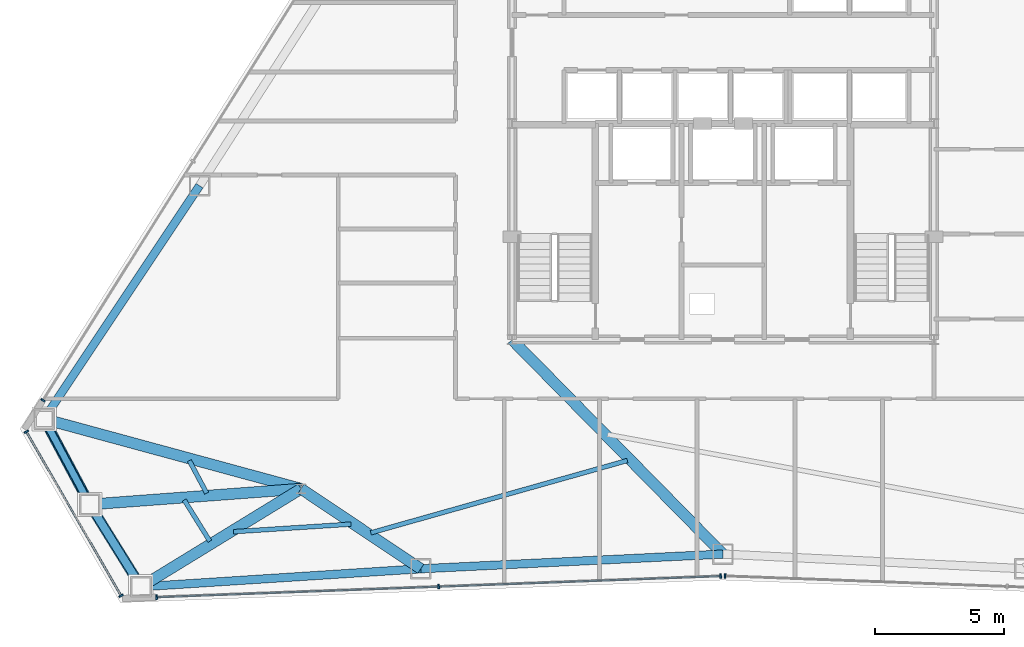
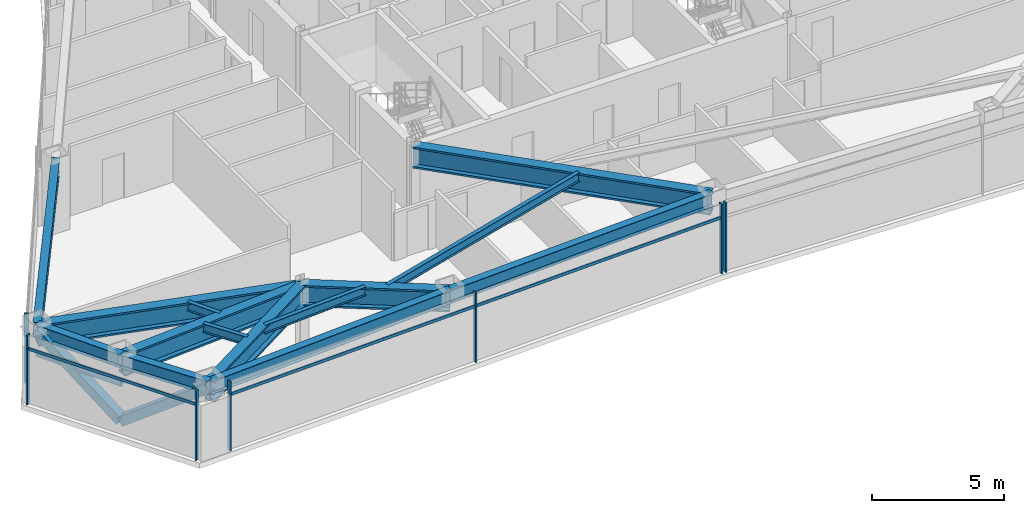
# One storey, part 3 of 13: 14 beams, 12 members, 4 elements without a shape of their own.
"""IFC4 building model written with IfcOpenShell, lengths in metres."""

from ifc_helpers import new_model, si_unit, direction, frame, origin, origin_2d, place, context, subcontext, project, spatial, rectangle, hollow_rectangle, hollow_circle, i_section, extrude, source, transform, mapped, material, layer, layer_set, material_profile, profile_set, type_object, type_shapes, element, aggregate, save


model = new_model("IFC4")

# Units and contexts
model_context = context("Model", 3, precision=1e-05, world=origin(), true_north=direction((0.0, 1.0)))
body_context = subcontext(model_context, "Body", "Model", "MODEL_VIEW")
ifc_project = project(units=[si_unit("LENGTHUNIT", "METRE"), si_unit("AREAUNIT", "SQUARE_METRE"), si_unit("VOLUMEUNIT", "CUBIC_METRE"), si_unit("PLANEANGLEUNIT", "RADIAN"), si_unit("MASSUNIT", "GRAM", prefix="KILO")], contexts=[model_context])

# Site, building, storey
site_placement = place(None, origin())
site = spatial("IfcSite", under=ifc_project, at=site_placement, CompositionType="ELEMENT")
building_placement = place(site_placement, origin())
building = spatial("IfcBuilding", under=site, at=building_placement, Name="Varakhsha Concourse Tower", CompositionType="ELEMENT")
storey_placement = place(building_placement, frame((0.0, 0.0, 179.25)))
storey = spatial("IfcBuildingStorey", under=building, at=storey_placement, Name="L51", CompositionType="ELEMENT", Elevation=179.25)

# Beams
ifc_material_1 = material(Name="Structural Steel ASTM A992 Grade 50", Category="steel")
ifc_material_profile_1 = material_profile(ifc_material_1, i_section(OverallWidth=0.177978515625, OverallDepth=0.406982421875, WebThickness=0.008056640625, FlangeThickness=0.012939453125, at=origin_2d()), Name="W16X40")
ifc_profile_set_1 = profile_set([ifc_material_profile_1], Name="Structural Steel ASTM A992 Grade 50")
beam_type_1 = type_object("IfcBeamType", Name="BM-JST-W16X40", PredefinedType="JOIST", material=ifc_profile_set_1)
beam_1_placement = place(storey_placement, frame((19.25732421875, 11.697265625, 3.006591796875), z_axis=(0.471425078209, -0.881906114978, 0.0), x_axis=(0.881906114978, 0.471425078209, 0.0)))
element("IfcBeam", 1, at=beam_1_placement, inside=storey, type_object=beam_type_1, Name="BM-TJST-L51-07", PredefinedType="JOIST", context=body_context, shape_type="SweptSolid", body=[
    extrude(i_section(OverallWidth=0.177978515625, OverallDepth=0.406982421875, WebThickness=0.008056640625, FlangeThickness=0.012939453125, at=origin_2d()), origin(), (0.0, 0.0, 1.0), 1.438232421875),
])
beam_2_placement = place(storey_placement, frame((19.059814453125, 10.165283203125, 3.006591796875), z_axis=(0.528105315956, -0.849178882957, 0.0), x_axis=(0.849178882957, 0.528105315956, 0.0)))
element("IfcBeam", 2, at=beam_2_placement, inside=storey, type_object=beam_type_1, Name="BM-TJST-L51-08", PredefinedType="JOIST", context=body_context, shape_type="SweptSolid", body=[
    extrude(i_section(OverallWidth=0.177978515625, OverallDepth=0.406982421875, WebThickness=0.008056640625, FlangeThickness=0.012939453125, at=origin_2d()), origin(), (0.0, 0.0, 1.0), 1.890380859375),
])
beam_3_placement = place(storey_placement, frame((20.972412109375, 8.930908203125, 3.006591796875), z_axis=(0.997934587168, 0.064238304264, 0.0), x_axis=(-0.064238304264, 0.997934587168, 0.0)))
element("IfcBeam", 3, at=beam_3_placement, inside=storey, type_object=beam_type_1, Name="BM-TJST-L51-09", PredefinedType="JOIST", context=body_context, shape_type="SweptSolid", body=[
    extrude(i_section(OverallWidth=0.177978515625, OverallDepth=0.406982421875, WebThickness=0.008056640625, FlangeThickness=0.012939453125, at=origin_2d()), origin(), (0.0, 0.0, 1.0), 4.575927734375),
])
beam_4_placement = place(storey_placement, frame((26.31298828125, 8.888671875, 3.006591796875), z_axis=(0.962479186496, 0.271355515076, 0.0), x_axis=(-0.271355515076, 0.962479186496, 0.0)))
element("IfcBeam", 4, at=beam_4_placement, inside=storey, type_object=beam_type_1, Name="BM-TJST-L51-10", PredefinedType="JOIST", context=body_context, shape_type="SweptSolid", body=[
    extrude(i_section(OverallWidth=0.177978515625, OverallDepth=0.406982421875, WebThickness=0.008056640625, FlangeThickness=0.012939453125, at=origin_2d()), origin(), (0.0, 0.0, 1.0), 10.36181640625),
])
ifc_material_profile_2 = material_profile(ifc_material_1, i_section(OverallWidth=0.323974609375, OverallDepth=0.611083984375, WebThickness=0.012939453125, FlangeThickness=0.01904296875, at=origin_2d()), Name="W24X104")
ifc_profile_set_2 = profile_set([ifc_material_profile_2], Name="Structural Steel ASTM A992 Grade 50")
beam_type_2 = type_object("IfcBeamType", Name="BM-SPAN-W24X104", PredefinedType="SPANDREL", material=ifc_profile_set_2)
beam_5_placement = place(storey_placement, frame((19.6572265625, 22.383544921875, 2.904541015625), z_axis=(-0.554617486764, -0.832105428041, 0.0), x_axis=(0.832105428041, -0.554617486764, 0.0)))
element("IfcBeam", 5, at=beam_5_placement, inside=storey, type_object=beam_type_2, Name="BM-SPAN-L51-06", PredefinedType="SPANDREL", context=body_context, shape_type="SweptSolid", body=[
    extrude(i_section(OverallWidth=0.323974609375, OverallDepth=0.611083984375, WebThickness=0.012939453125, FlangeThickness=0.01904296875, at=origin_2d()), origin(), (0.0, 0.0, 1.0), 10.899169921875),
])
for number, where, z_axis, x_axis, name in (
    (6, (13.6123046875, 13.314208984375, 2.904541015625), (0.471432003262, -0.881902413139, 0.0), (0.881902413139, 0.471432003262, 0.0), "BM-SPAN-L51-07"),
    (7, (15.388916015625, 9.99072265625, 2.904541015625), (0.528064197342, -0.849204453289, 0.0), (0.849204453289, 0.528064197342, 0.0), "BM-SPAN-L51-08"),
):
    element("IfcBeam", number, at=place(storey_placement, frame(where, z_axis=z_axis, x_axis=x_axis)), inside=storey, type_object=beam_type_2, Name=name, PredefinedType="SPANDREL", context=body_context, shape_type="SweptSolid", body=[
        extrude(i_section(OverallWidth=0.323974609375, OverallDepth=0.611083984375, WebThickness=0.012939453125, FlangeThickness=0.01904296875, at=origin_2d()), origin(), (0.0, 0.0, 1.0), 3.7685546875),
    ])
beam_6_placement = place(storey_placement, frame((17.37890625, 6.79052734375, 2.904541015625), z_axis=(0.997934305556, 0.064242678915, 0.0), x_axis=(-0.064242678915, 0.997934305556, 0.0)))
element("IfcBeam", 8, at=beam_6_placement, inside=storey, type_object=beam_type_2, Name="BM-SPAN-L51-09", PredefinedType="SPANDREL", context=body_context, shape_type="SweptSolid", body=[
    extrude(i_section(OverallWidth=0.323974609375, OverallDepth=0.611083984375, WebThickness=0.012939453125, FlangeThickness=0.01904296875, at=origin_2d()), origin(), (0.0, 0.0, 1.0), 10.899169921875),
])
beam_7_placement = place(storey_placement, frame((28.255615234375, 7.49072265625, 2.904541015625), z_axis=(0.998822016856, 0.048524000694, 0.0), x_axis=(-0.048524000694, 0.998822016856, 0.0)))
element("IfcBeam", 9, at=beam_7_placement, inside=storey, type_object=beam_type_2, Name="BM-SPAN-L51-10", PredefinedType="SPANDREL", context=body_context, shape_type="SweptSolid", body=[
    extrude(i_section(OverallWidth=0.323974609375, OverallDepth=0.611083984375, WebThickness=0.012939453125, FlangeThickness=0.01904296875, at=origin_2d()), origin(), (0.0, 0.0, 1.0), 11.75830078125),
])
ifc_material_profile_3 = material_profile(ifc_material_1, i_section(OverallWidth=0.427978515625, OverallDepth=0.97509765625, WebThickness=0.050048828125, FlangeThickness=0.0810546875, at=origin_2d()), Name="W36X395")
ifc_profile_set_3 = profile_set([ifc_material_profile_3], Name="Structural Steel ASTM A992 Grade 50")
beam_type_3 = type_object("IfcBeamType", Name="BM-XFER-W36X395", PredefinedType="USERDEFINED", material=ifc_profile_set_3)
beam_8_placement = place(storey_placement, frame((23.60009765625, 10.60009765625, 2.722412109375), z_axis=(-0.965004562858, 0.262233090327, 0.0), x_axis=(-0.262233090327, -0.965004562858, 0.0)))
element("IfcBeam", 10, at=beam_8_placement, inside=storey, type_object=beam_type_3, Name="L51 Radial Floor Girder 07", ObjectType="GIRDER", PredefinedType="USERDEFINED", context=body_context, shape_type="SweptSolid", body=[
    extrude(i_section(OverallWidth=0.427978515625, OverallDepth=0.97509765625, WebThickness=0.050048828125, FlangeThickness=0.0810546875, at=origin_2d()), origin(), (0.0, 0.0, 1.0), 10.35009765625),
])
beam_9_placement = place(storey_placement, frame((23.60009765625, 10.60009765625, 2.722412109375), z_axis=(-0.99725755111, -0.074009301804, 0.0), x_axis=(0.074009301804, -0.99725755111, 0.0)))
element("IfcBeam", 11, at=beam_9_placement, inside=storey, type_object=beam_type_3, Name="L51 Radial Floor Girder 08", ObjectType="GIRDER", PredefinedType="USERDEFINED", context=body_context, shape_type="SweptSolid", body=[
    extrude(i_section(OverallWidth=0.427978515625, OverallDepth=0.97509765625, WebThickness=0.050048828125, FlangeThickness=0.0810546875, at=origin_2d()), origin(), (0.0, 0.0, 1.0), 8.233642578125),
])
beam_10_placement = place(storey_placement, frame((23.60009765625, 10.60009765625, 2.722412109375), z_axis=(-0.852809936367, -0.522221420888, 0.0), x_axis=(0.522221420888, -0.852809936367, 0.0)))
element("IfcBeam", 12, at=beam_10_placement, inside=storey, type_object=beam_type_3, Name="L51 Radial Floor Girder 09", ObjectType="GIRDER", PredefinedType="USERDEFINED", context=body_context, shape_type="SweptSolid", body=[
    extrude(i_section(OverallWidth=0.427978515625, OverallDepth=0.97509765625, WebThickness=0.050048828125, FlangeThickness=0.0810546875, at=origin_2d()), origin(), (0.0, 0.0, 1.0), 7.294921875),
])
beam_11_placement = place(storey_placement, frame((23.60009765625, 10.60009765625, 2.722412109375), z_axis=(0.83158036055, -0.555404450782, 0.0), x_axis=(0.555404450782, 0.83158036055, 0.0)))
element("IfcBeam", 13, at=beam_11_placement, inside=storey, type_object=beam_type_3, Name="L51 Radial Floor Girder 10", ObjectType="GIRDER", PredefinedType="USERDEFINED", context=body_context, shape_type="SweptSolid", body=[
    extrude(i_section(OverallWidth=0.427978515625, OverallDepth=0.97509765625, WebThickness=0.050048828125, FlangeThickness=0.0810546875, at=origin_2d()), origin(), (0.0, 0.0, 1.0), 5.598388671875),
])
beam_12_placement = place(storey_placement, frame((31.800048828125, 16.39990234375, 2.722412109375), z_axis=(0.701153218292, -0.713010634197, 0.0), x_axis=(0.713010634197, 0.701153218292, 0.0)))
element("IfcBeam", 14, at=beam_12_placement, inside=storey, type_object=beam_type_3, Name="L51 Radial Floor Girder 11", ObjectType="GIRDER", PredefinedType="USERDEFINED", context=body_context, shape_type="SweptSolid", body=[
    extrude(i_section(OverallWidth=0.427978515625, OverallDepth=0.97509765625, WebThickness=0.050048828125, FlangeThickness=0.0810546875, at=origin_2d()), origin(), (0.0, 0.0, 1.0), 11.695068359375),
])

# Members
ifc_material_2 = material(Name="Structural Steel ASTM A500 Grade C", Category="steel")
ifc_material_profile_4 = material_profile(ifc_material_2, hollow_rectangle(XDim=0.39990234375, YDim=0.39990234375, WallThickness=0.01611328125, at=origin_2d()), Name="HSS 400x400x16")
ifc_profile_set_4 = profile_set([ifc_material_profile_4], Name="Structural Steel ASTM A500 Grade C")
member_type_1 = type_object("IfcMemberType", Name="MB-TUBE-HSS400", PredefinedType="BRACE", material=ifc_profile_set_4)
shared_shape_1 = source(origin(), body_context, "Body", "SweptSolid", [
    extrude(hollow_rectangle(XDim=0.39990234375, YDim=0.39990234375, WallThickness=0.01611328125, at=origin_2d()), origin(), (0.0, 0.0, 1.0), 4.688720703125),
])
type_shapes(member_type_1, [shared_shape_1])
for number, where, z_axis, x_axis, name in (
    (15, (15.388916015625, 9.99072265625, 0.1201171875), (-0.378905165974, 0.708813525409, 0.594990975894), (-0.881902413139, -0.471432003262, 0.0), "L51 Wind-Corner Tube Brace B03"),
    (16, (15.388916015625, 9.99072265625, 0.1201171875), (0.424419130613, -0.682528028963, 0.594999068276), (0.849204453289, 0.528064197342, 0.0), "L51 Wind-Corner Tube Brace B04"),
):
    element("IfcMember", number, at=place(storey_placement, frame(where, z_axis=z_axis, x_axis=x_axis)), inside=storey, type_object=member_type_1, Name=name, PredefinedType="BRACE", context=body_context, shape_type="MappedRepresentation", body=[
        mapped(shared_shape_1, transform((0.0, 0.0, 0.0), scale=1.0)),
    ])
ifc_material_profile_5 = material_profile(ifc_material_2, hollow_circle(Radius=0.136474609375, WallThickness=0.011962890625, at=origin_2d()), Name="CHS 273x12")
ifc_profile_set_5 = profile_set([ifc_material_profile_5], Name="Structural Steel ASTM A500 Grade C")
member_type_2 = type_object("IfcMemberType", Name="MB-WIND-CHS273", PredefinedType="COLLAR", material=ifc_profile_set_5)
shared_shape_2 = source(origin(), body_context, "Body", "SweptSolid", [
    extrude(hollow_circle(Radius=0.136474609375, WallThickness=0.011962890625, at=origin_2d()), origin(), (0.0, 0.0, 1.0), 3.7685546875),
])
type_shapes(member_type_2, [shared_shape_2])
member_1_placement = place(storey_placement, frame((13.6123046875, 13.314208984375, 1.800048828125), z_axis=(0.471432003262, -0.881902413139, 0.0), x_axis=(0.881902413139, 0.471432003262, 0.0)))
element("IfcMember", 17, at=member_1_placement, inside=storey, type_object=member_type_2, Name="L51 Wind-Corner Collar Tie 2", PredefinedType="COLLAR", context=body_context, shape_type="MappedRepresentation", body=[
    mapped(shared_shape_2, transform((0.0, 0.0, 0.0), scale=1.0)),
])

# Curtain wall, member
ifc_material_3 = material(Name="Anodised Bronze Architectural Aluminium AA 6063-T6", Category="aluminium")
ifc_layer = layer(ifc_material_3, 0.2099609375, Name="CW-SYS-04")
ifc_layer_set = layer_set([ifc_layer], Name="Anodised Bronze Architectural Aluminium AA 6063-T6")
curtain_wall_type = type_object("IfcCurtainWallType", Name="CW-SYS-04", PredefinedType="NOTDEFINED", material=ifc_layer_set)
curtain_wall_1_placement = place(storey_placement, origin())
curtain_wall_1 = element("IfcCurtainWall", 18, at=curtain_wall_1_placement, inside=storey, type_object=curtain_wall_type, Name="L51 Crystal Curtain Wall F3", PredefinedType="NOTDEFINED")
ifc_material_profile_6 = material_profile(ifc_material_3, rectangle(XDim=0.06494140625, YDim=0.179931640625, at=origin_2d()), Name="CWM-180X65")
ifc_profile_set_6 = profile_set([ifc_material_profile_6], Name="Anodised Bronze Architectural Aluminium AA 6063-T6")
member_type_3 = type_object("IfcMemberType", Name="CWM-180X65", PredefinedType="MULLION", material=ifc_profile_set_6)
shared_shape_3 = source(origin(), body_context, "Body", "SweptSolid", [
    extrude(rectangle(XDim=0.06494140625, YDim=0.179931640625, at=origin_2d()), origin(), (0.0, 0.0, 1.0), 3.2099609375),
])
type_shapes(member_type_3, [shared_shape_3])
member_2_placement = place(storey_placement, frame((13.56787109375, 14.045654296875, 0.0), z_axis=(0.0, 0.0, 1.0), x_axis=(0.532022365141, 0.846730301212, 0.0)))
member_2 = element("IfcMember", 19, at=member_2_placement, type_object=member_type_3, Name="CW-L51-F3 Mullion 00", PredefinedType="MULLION", context=body_context, shape_type="MappedRepresentation", body=[
    mapped(shared_shape_3, transform((0.0, 0.0, 0.0), scale=1.0)),
])
aggregate(curtain_wall_1, [member_2])

# Curtain wall, members
curtain_wall_2_placement = place(storey_placement, origin())
curtain_wall_2 = element("IfcCurtainWall", 20, at=curtain_wall_2_placement, inside=storey, type_object=curtain_wall_type, Name="L51 Chamfer Curtain Wall F4", PredefinedType="NOTDEFINED")
member_3_placement = place(storey_placement, frame((16.60546875, 6.44384765625, 0.0), z_axis=(0.0, 0.0, 1.0), x_axis=(-0.499996976998, 0.866027149108, 0.0)))
member_3 = element("IfcMember", 21, at=member_3_placement, type_object=member_type_3, Name="CW-L51-F4 Mullion 00", PredefinedType="MULLION", context=body_context, shape_type="MappedRepresentation", body=[
    mapped(shared_shape_3, transform((0.0, 0.0, 0.0), scale=1.0)),
])
member_4_placement = place(storey_placement, frame((12.925537109375, 12.81787109375, 0.0), z_axis=(0.0, 0.0, 1.0), x_axis=(-0.499996976998, 0.866027149108, 0.0)))
member_4 = element("IfcMember", 22, at=member_4_placement, type_object=member_type_3, Name="CW-L51-F4 Mullion 01", PredefinedType="MULLION", context=body_context, shape_type="MappedRepresentation", body=[
    mapped(shared_shape_3, transform((0.0, 0.0, 0.0), scale=1.0)),
])

curtain_wall_3_placement = place(storey_placement, origin())
curtain_wall_3 = element("IfcCurtainWall", 23, at=curtain_wall_3_placement, inside=storey, type_object=curtain_wall_type, Name="L51 Crystal Curtain Wall F5", PredefinedType="NOTDEFINED")
member_5_placement = place(storey_placement, frame((39.9140625, 7.206298828125, 0.0), z_axis=(0.0, 0.0, 1.0), x_axis=(-0.999301264048, -0.037376244769, 0.0)))
member_5 = element("IfcMember", 24, at=member_5_placement, type_object=member_type_3, Name="CW-L51-F5 Mullion 00", PredefinedType="MULLION", context=body_context, shape_type="MappedRepresentation", body=[
    mapped(shared_shape_3, transform((0.0, 0.0, 0.0), scale=1.0)),
])
member_6_placement = place(storey_placement, frame((28.9521484375, 6.79638671875, 0.0), z_axis=(0.0, 0.0, 1.0), x_axis=(-0.999301264048, -0.037376244769, 0.0)))
member_6 = element("IfcMember", 25, at=member_6_placement, type_object=member_type_3, Name="CW-L51-F5 Mullion 01", PredefinedType="MULLION", context=body_context, shape_type="MappedRepresentation", body=[
    mapped(shared_shape_3, transform((0.0, 0.0, 0.0), scale=1.0)),
])
member_7_placement = place(storey_placement, frame((17.989990234375, 6.38623046875, 0.0), z_axis=(0.0, 0.0, 1.0), x_axis=(-0.999301264048, -0.037376244769, 0.0)))
member_7 = element("IfcMember", 26, at=member_7_placement, type_object=member_type_3, Name="CW-L51-F5 Mullion 02", PredefinedType="MULLION", context=body_context, shape_type="MappedRepresentation", body=[
    mapped(shared_shape_3, transform((0.0, 0.0, 0.0), scale=1.0)),
])

# Curtain wall, member
curtain_wall_4_placement = place(storey_placement, origin())
curtain_wall_4 = element("IfcCurtainWall", 27, at=curtain_wall_4_placement, inside=storey, type_object=curtain_wall_type, Name="L51 Crystal Curtain Wall F6", PredefinedType="NOTDEFINED")
member_8_placement = place(storey_placement, frame((40.0859375, 7.206298828125, 0.0), z_axis=(0.0, 0.0, 1.0), x_axis=(-0.999301264048, 0.037376244769, 0.0)))
member_8 = element("IfcMember", 28, at=member_8_placement, type_object=member_type_3, Name="CW-L51-F6 Mullion 02", PredefinedType="MULLION", context=body_context, shape_type="MappedRepresentation", body=[
    mapped(shared_shape_3, transform((0.0, 0.0, 0.0), scale=1.0)),
])
aggregate(curtain_wall_4, [member_8])

# Member
ifc_material_profile_7 = material_profile(ifc_material_3, rectangle(XDim=0.06005859375, YDim=0.139892578125, at=origin_2d()), Name="CWT-140X60")
ifc_profile_set_7 = profile_set([ifc_material_profile_7], Name="Anodised Bronze Architectural Aluminium AA 6063-T6")
member_type_4 = type_object("IfcMemberType", Name="CWT-140X60", PredefinedType="USERDEFINED", material=ifc_profile_set_7)
shared_shape_4 = source(origin(), body_context, "Body", "SweptSolid", [
    extrude(rectangle(XDim=0.06005859375, YDim=0.139892578125, at=origin_2d()), origin(), (0.0, 0.0, 1.0), 21.939453125),
])
member_9_placement = place(storey_placement, frame((39.9140625, 7.206298828125, 2.56005859375), z_axis=(-0.999301168886, -0.037378788948, 0.0), x_axis=(0.037378788948, -0.999301168886, 0.0)))
member_9 = element("IfcMember", 29, at=member_9_placement, type_object=member_type_4, Name="CW-L51-F5 Transom 01", ObjectType="TRANSOM", PredefinedType="USERDEFINED", context=body_context, shape_type="MappedRepresentation", body=[
    mapped(shared_shape_4, transform((0.0, 0.0, 0.0), scale=1.0)),
])

aggregate(curtain_wall_3, [member_5, member_6, member_7, member_9])

shared_shape_5 = source(origin(), body_context, "Body", "SweptSolid", [
    extrude(rectangle(XDim=0.06005859375, YDim=0.139892578125, at=origin_2d()), origin(), (0.0, 0.0, 1.0), 7.360107421875),
])
type_shapes(member_type_4, [shared_shape_4, shared_shape_5])
member_10_placement = place(storey_placement, frame((16.60546875, 6.44384765625, 2.56005859375), z_axis=(-0.499988535315, 0.866032022822, 0.0), x_axis=(-0.866032022822, -0.499988535315, 0.0)))
member_10 = element("IfcMember", 30, at=member_10_placement, type_object=member_type_4, Name="CW-L51-F4 Transom 01", ObjectType="TRANSOM", PredefinedType="USERDEFINED", context=body_context, shape_type="MappedRepresentation", body=[
    mapped(shared_shape_5, transform((0.0, 0.0, 0.0), scale=1.0)),
])

aggregate(curtain_wall_2, [member_3, member_4, member_10])

save(model, "model.ifc")
